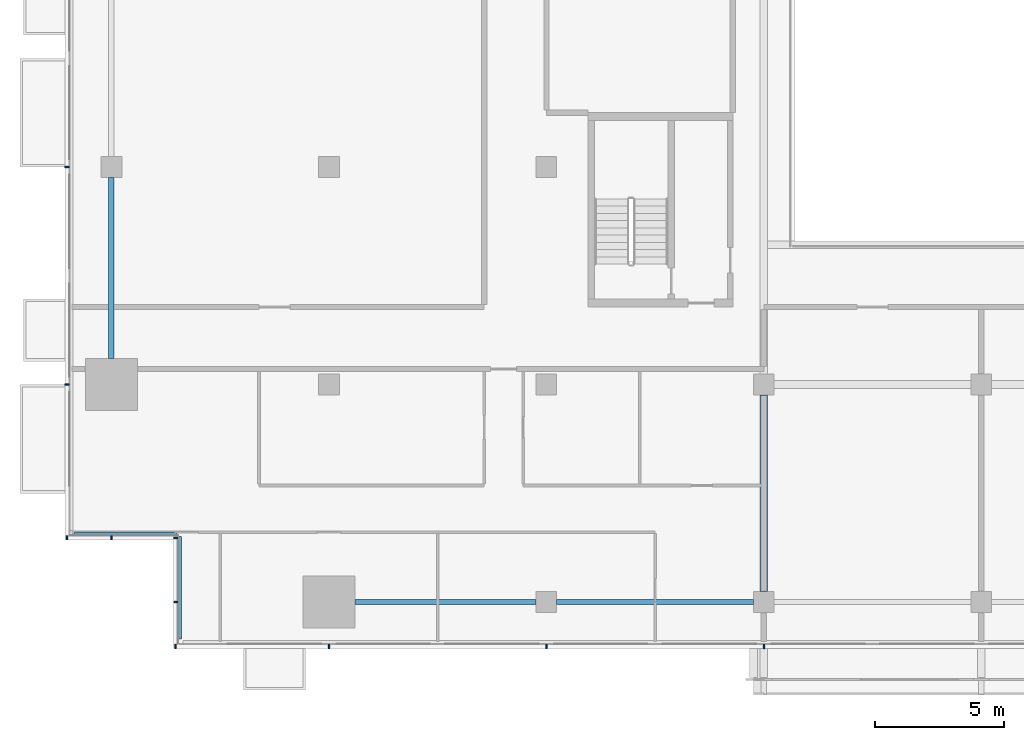
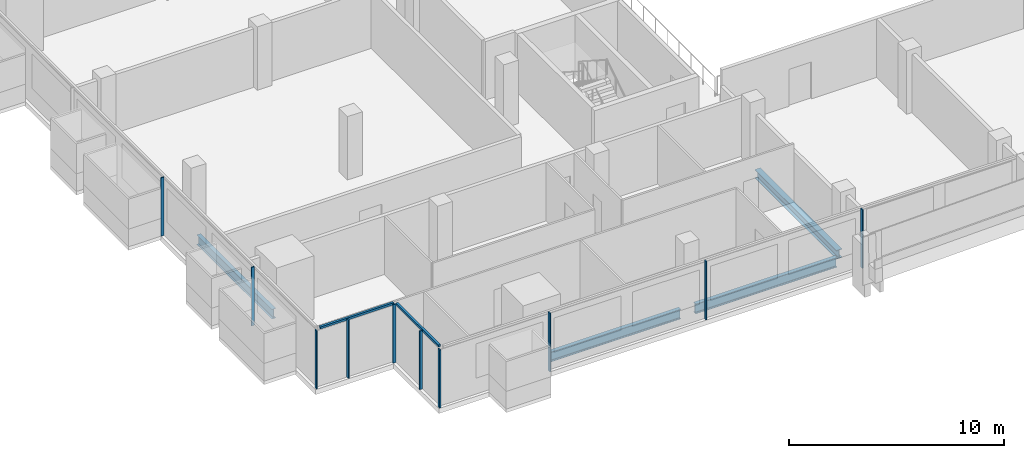
# One storey, part 2 of 26: 12 members, 4 beams, 4 elements without a shape of their own.
"""IFC4 building model written with IfcOpenShell, lengths in metres."""

from ifc_helpers import new_model, si_unit, direction, frame, origin, origin_2d, place, context, subcontext, project, spatial, rectangle, i_section, extrude, material, material_profile, profile_set, type_object, element, aggregate, save


model = new_model("IFC4")

# Units and contexts
model_context = context("Model", 3, precision=1e-05, world=origin(), true_north=direction((0.0, 1.0)))
body_context = subcontext(model_context, "Body", "Model", "MODEL_VIEW")
ifc_project = project(units=[si_unit("LENGTHUNIT", "METRE"), si_unit("AREAUNIT", "SQUARE_METRE"), si_unit("VOLUMEUNIT", "CUBIC_METRE"), si_unit("PLANEANGLEUNIT", "RADIAN"), si_unit("MASSUNIT", "GRAM", prefix="KILO")], contexts=[model_context])

# Site, building, storey
site_placement = place(None, origin())
site = spatial("IfcSite", under=ifc_project, at=site_placement, CompositionType="ELEMENT")
building_placement = place(site_placement, origin())
building = spatial("IfcBuilding", under=site, at=building_placement, Name="Saffron Gate Tower", CompositionType="ELEMENT")
storey_placement = place(building_placement, frame((0.0, 0.0, 98.85009765625)))
storey = spatial("IfcBuildingStorey", under=building, at=storey_placement, Name="L22", CompositionType="ELEMENT", Elevation=98.85009765625)

# Beams
ifc_material_1 = material(Name="Structural steel S355", Category="steel")
ifc_material_profile_1 = material_profile(ifc_material_1, i_section(OverallWidth=0.2099609375, OverallDepth=0.550048828125, WebThickness=0.010986328125, FlangeThickness=0.01708984375, FilletRadius=0.02392578125, at=origin_2d()))
ifc_profile_set_1 = profile_set([ifc_material_profile_1], Name="Structural steel S355")
beam_type_1 = type_object("IfcBeamType", Name="B13 IPE 550", PredefinedType="SPANDREL", material=ifc_profile_set_1)
for number, where, z_axis, x_axis, name in (
    (1, (49.800048828125, 41.199951171875, -0.55517578125), (0.0, 1.0, 0.0), (-1.0, 0.0, 0.0), "B13 SPANDREL BEAM"),
    (2, (59.199951171875, 31.800048828125, -0.55517578125), (1.0, 0.0, 0.0), (0.0, 1.0, 0.0), "B13 SPANDREL BEAM"),
):
    element("IfcBeam", number, at=place(storey_placement, frame(where, z_axis=z_axis, x_axis=x_axis)), inside=storey, type_object=beam_type_1, Name=name, PredefinedType="SPANDREL", context=body_context, shape_type="SweptSolid", body=[
        extrude(i_section(OverallWidth=0.2099609375, OverallDepth=0.550048828125, WebThickness=0.010986328125, FlangeThickness=0.01708984375, FilletRadius=0.02392578125, at=origin_2d()), origin(), (0.0, 0.0, 1.0), 7.0),
    ])
beam_1_placement = place(storey_placement, frame((67.0, 31.800048828125, -0.55517578125), z_axis=(1.0, 0.0, 0.0), x_axis=(0.0, 1.0, 0.0)))
element("IfcBeam", 3, at=beam_1_placement, inside=storey, type_object=beam_type_1, Name="B13 SPANDREL BEAM", PredefinedType="SPANDREL", context=body_context, shape_type="SweptSolid", body=[
    extrude(i_section(OverallWidth=0.2099609375, OverallDepth=0.550048828125, WebThickness=0.010986328125, FlangeThickness=0.01708984375, FilletRadius=0.02392578125, at=origin_2d()), origin(), (0.0, 0.0, 1.0), 7.60009765625),
])
ifc_material_profile_2 = material_profile(ifc_material_1, i_section(OverallWidth=0.300048828125, OverallDepth=0.489990234375, WebThickness=0.011962890625, FlangeThickness=0.02294921875, FilletRadius=0.027099609375, at=origin_2d()))
ifc_profile_set_2 = profile_set([ifc_material_profile_2], Name="Structural steel S355")
beam_type_2 = type_object("IfcBeamType", Name="B8 HEA 500", PredefinedType="BEAM", material=ifc_profile_set_2)
beam_2_placement = place(storey_placement, frame((75.0, 32.199951171875, -0.525146484375), z_axis=(0.0, 1.0, 0.0), x_axis=(-1.0, 0.0, 0.0)))
element("IfcBeam", 4, at=beam_2_placement, inside=storey, type_object=beam_type_2, Name="B8 FLOOR GIRDER", PredefinedType="BEAM", context=body_context, shape_type="SweptSolid", body=[
    extrude(i_section(OverallWidth=0.300048828125, OverallDepth=0.489990234375, WebThickness=0.011962890625, FlangeThickness=0.02294921875, FilletRadius=0.027099609375, at=origin_2d()), origin(), (0.0, 0.0, 1.0), 7.60009765625),
])

# Curtain wall, members
ifc_material_2 = material(Name="Aluminium, bronze anodised", Category="aluminium")
curtain_wall_type_1 = type_object("IfcCurtainWallType", Name="CWS1 curtain wall front facade", PredefinedType="NOTDEFINED", material=ifc_material_2)
curtain_wall_1_placement = place(storey_placement, origin())
curtain_wall_1 = element("IfcCurtainWall", 5, at=curtain_wall_1_placement, inside=storey, type_object=curtain_wall_type_1, Name="CWS1 run 1", PredefinedType="NOTDEFINED")
ifc_material_profile_3 = material_profile(ifc_material_2, rectangle(XDim=0.159912109375, YDim=0.06005859375, at=origin_2d()))
ifc_profile_set_3 = profile_set([ifc_material_profile_3], Name="Aluminium, bronze anodised")
member_type_1 = type_object("IfcMemberType", Name="CWS1 mullion 60x160", PredefinedType="MULLION", material=ifc_profile_set_3)
member_1_placement = place(storey_placement, frame((52.280029296875, 30.080078125, 0.0), z_axis=(0.0, 0.0, 1.0), x_axis=(0.0, 1.0, 0.0)))
member_1 = element("IfcMember", 6, at=member_1_placement, type_object=member_type_1, Name="CWS1 mullion 1", PredefinedType="MULLION", context=body_context, shape_type="SweptSolid", body=[
    extrude(rectangle(XDim=0.159912109375, YDim=0.06005859375, at=origin_2d()), origin(), (0.0, 0.0, 1.0), 3.31982421875),
])
member_2_placement = place(storey_placement, frame((58.199951171875, 30.080078125, 0.0), z_axis=(0.0, 0.0, 1.0), x_axis=(0.0, 1.0, 0.0)))
member_2 = element("IfcMember", 7, at=member_2_placement, type_object=member_type_1, Name="CWS1 mullion 2", PredefinedType="MULLION", context=body_context, shape_type="SweptSolid", body=[
    extrude(rectangle(XDim=0.159912109375, YDim=0.06005859375, at=origin_2d()), origin(), (0.0, 0.0, 1.0), 3.31982421875),
])
member_3_placement = place(storey_placement, frame((66.60009765625, 30.080078125, 0.0), z_axis=(0.0, 0.0, 1.0), x_axis=(0.0, 1.0, 0.0)))
member_3 = element("IfcMember", 8, at=member_3_placement, type_object=member_type_1, Name="CWS1 mullion 3", PredefinedType="MULLION", context=body_context, shape_type="SweptSolid", body=[
    extrude(rectangle(XDim=0.159912109375, YDim=0.06005859375, at=origin_2d()), origin(), (0.0, 0.0, 1.0), 3.31982421875),
])
member_4_placement = place(storey_placement, frame((75.0, 30.080078125, 0.0), z_axis=(0.0, 0.0, 1.0), x_axis=(0.0, 1.0, 0.0)))
member_4 = element("IfcMember", 9, at=member_4_placement, type_object=member_type_1, Name="CWS1 mullion 4", PredefinedType="MULLION", context=body_context, shape_type="SweptSolid", body=[
    extrude(rectangle(XDim=0.159912109375, YDim=0.06005859375, at=origin_2d()), origin(), (0.0, 0.0, 1.0), 3.31982421875),
])
aggregate(curtain_wall_1, [member_1, member_2, member_3, member_4])

curtain_wall_type_2 = type_object("IfcCurtainWallType", Name="CWS2 curtain wall side facades", PredefinedType="NOTDEFINED", material=ifc_material_2)
curtain_wall_2_placement = place(storey_placement, origin())
curtain_wall_2 = element("IfcCurtainWall", 10, at=curtain_wall_2_placement, inside=storey, type_object=curtain_wall_type_2, Name="CWS2 run 10", PredefinedType="NOTDEFINED")
ifc_material_profile_4 = material_profile(ifc_material_2, rectangle(XDim=0.159912109375, YDim=0.06005859375, at=origin_2d()))
ifc_profile_set_4 = profile_set([ifc_material_profile_4], Name="Aluminium, bronze anodised")
member_type_2 = type_object("IfcMemberType", Name="CWS2 mullion 60x160", PredefinedType="MULLION", material=ifc_profile_set_4)
member_5_placement = place(storey_placement, frame((48.080078125, 48.60009765625, 0.0), z_axis=(0.0, 0.0, 1.0), x_axis=(1.0, 0.0, 0.0)))
member_5 = element("IfcMember", 11, at=member_5_placement, type_object=member_type_2, Name="CWS2 mullion 4", PredefinedType="MULLION", context=body_context, shape_type="SweptSolid", body=[
    extrude(rectangle(XDim=0.159912109375, YDim=0.06005859375, at=origin_2d()), origin(), (0.0, 0.0, 1.0), 3.31982421875),
])
member_6_placement = place(storey_placement, frame((48.080078125, 40.199951171875, 0.0), z_axis=(0.0, 0.0, 1.0), x_axis=(1.0, 0.0, 0.0)))
member_6 = element("IfcMember", 12, at=member_6_placement, type_object=member_type_2, Name="CWS2 mullion 5", PredefinedType="MULLION", context=body_context, shape_type="SweptSolid", body=[
    extrude(rectangle(XDim=0.159912109375, YDim=0.06005859375, at=origin_2d()), origin(), (0.0, 0.0, 1.0), 3.31982421875),
])
aggregate(curtain_wall_2, [member_5, member_6])

# Curtain wall, member
curtain_wall_type_3 = type_object("IfcCurtainWallType", Name="CWS4 curtain wall corner returns", PredefinedType="NOTDEFINED", material=ifc_material_2)
curtain_wall_3_placement = place(storey_placement, origin())
curtain_wall_3 = element("IfcCurtainWall", 13, at=curtain_wall_3_placement, inside=storey, type_object=curtain_wall_type_3, Name="CWS4 run 11", PredefinedType="NOTDEFINED")
ifc_material_profile_5 = material_profile(ifc_material_2, rectangle(XDim=0.1201171875, YDim=0.1201171875, at=origin_2d()))
ifc_profile_set_5 = profile_set([ifc_material_profile_5], Name="Aluminium, bronze anodised")
member_type_3 = type_object("IfcMemberType", Name="CWS4 head transom", PredefinedType="USERDEFINED", material=ifc_profile_set_5)
member_7_placement = place(storey_placement, frame((48.367919921875, 34.447998046875, 3.260009765625), z_axis=(1.0, 0.0, 0.0), x_axis=(0.0, 1.0, 0.0)))
member_7 = element("IfcMember", 14, at=member_7_placement, type_object=member_type_3, Name="CWS4 head transom", ObjectType="TRANSOM", PredefinedType="USERDEFINED", context=body_context, shape_type="SweptSolid", body=[
    extrude(rectangle(XDim=0.1201171875, YDim=0.1201171875, at=origin_2d()), origin(), (0.0, 0.0, 1.0), 3.9599609375),
])

curtain_wall_4_placement = place(storey_placement, origin())
curtain_wall_4 = element("IfcCurtainWall", 15, at=curtain_wall_4_placement, inside=storey, type_object=curtain_wall_type_3, Name="CWS4 run 12", PredefinedType="NOTDEFINED")
member_8_placement = place(storey_placement, frame((52.447998046875, 34.327880859375, 3.260009765625), z_axis=(0.0, -1.0, 0.0), x_axis=(1.0, 0.0, 0.0)))
member_8 = element("IfcMember", 16, at=member_8_placement, type_object=member_type_3, Name="CWS4 head transom", ObjectType="TRANSOM", PredefinedType="USERDEFINED", context=body_context, shape_type="SweptSolid", body=[
    extrude(rectangle(XDim=0.1201171875, YDim=0.1201171875, at=origin_2d()), origin(), (0.0, 0.0, 1.0), 3.9599609375),
])

# Member
ifc_material_profile_6 = material_profile(ifc_material_2, rectangle(XDim=0.159912109375, YDim=0.06005859375, at=origin_2d()))
ifc_profile_set_6 = profile_set([ifc_material_profile_6], Name="Aluminium, bronze anodised")
member_type_4 = type_object("IfcMemberType", Name="CWS4 mullion 60x160", PredefinedType="MULLION", material=ifc_profile_set_6)
member_9_placement = place(storey_placement, frame((48.080078125, 34.280029296875, 0.0), z_axis=(0.0, 0.0, 1.0), x_axis=(0.0, 1.0, 0.0)))
member_9 = element("IfcMember", 17, at=member_9_placement, type_object=member_type_4, Name="CWS4 mullion 1", PredefinedType="MULLION", context=body_context, shape_type="SweptSolid", body=[
    extrude(rectangle(XDim=0.159912109375, YDim=0.06005859375, at=origin_2d()), origin(), (0.0, 0.0, 1.0), 3.31982421875),
])

member_10_placement = place(storey_placement, frame((49.800048828125, 34.280029296875, 0.0), z_axis=(0.0, 0.0, 1.0), x_axis=(0.0, 1.0, 0.0)))
member_10 = element("IfcMember", 18, at=member_10_placement, type_object=member_type_4, Name="CWS4 mullion 2", PredefinedType="MULLION", context=body_context, shape_type="SweptSolid", body=[
    extrude(rectangle(XDim=0.159912109375, YDim=0.06005859375, at=origin_2d()), origin(), (0.0, 0.0, 1.0), 3.31982421875),
])

aggregate(curtain_wall_3, [member_9, member_10, member_7])

member_11_placement = place(storey_placement, frame((52.280029296875, 34.280029296875, 0.0), z_axis=(0.0, 0.0, 1.0), x_axis=(1.0, 0.0, 0.0)))
member_11 = element("IfcMember", 19, at=member_11_placement, type_object=member_type_4, Name="CWS4 mullion 1", PredefinedType="MULLION", context=body_context, shape_type="SweptSolid", body=[
    extrude(rectangle(XDim=0.159912109375, YDim=0.06005859375, at=origin_2d()), origin(), (0.0, 0.0, 1.0), 3.31982421875),
])

member_12_placement = place(storey_placement, frame((52.280029296875, 31.800048828125, 0.0), z_axis=(0.0, 0.0, 1.0), x_axis=(1.0, 0.0, 0.0)))
member_12 = element("IfcMember", 20, at=member_12_placement, type_object=member_type_4, Name="CWS4 mullion 2", PredefinedType="MULLION", context=body_context, shape_type="SweptSolid", body=[
    extrude(rectangle(XDim=0.159912109375, YDim=0.06005859375, at=origin_2d()), origin(), (0.0, 0.0, 1.0), 3.31982421875),
])

aggregate(curtain_wall_4, [member_11, member_12, member_8])

save(model, "model.ifc")
